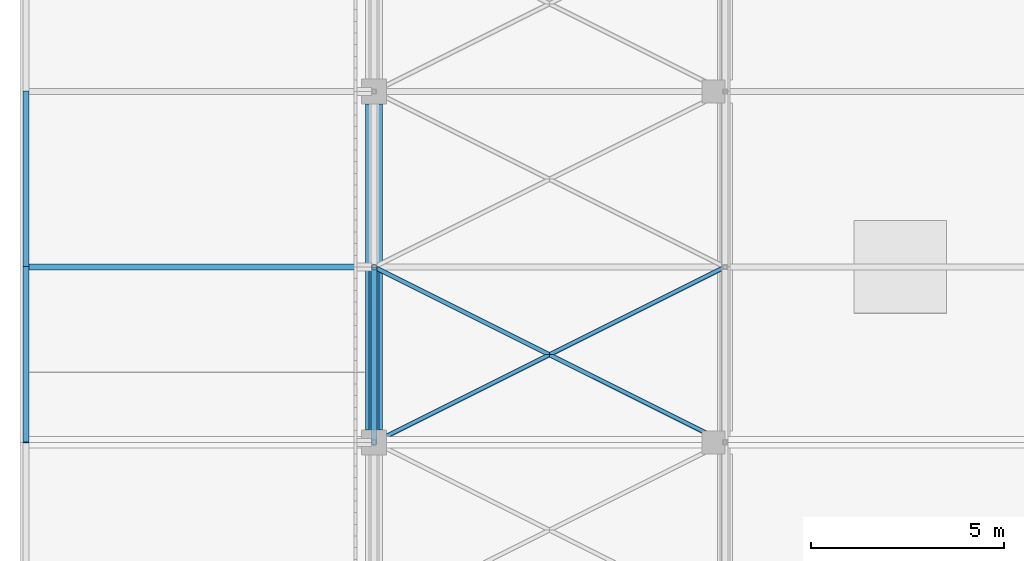
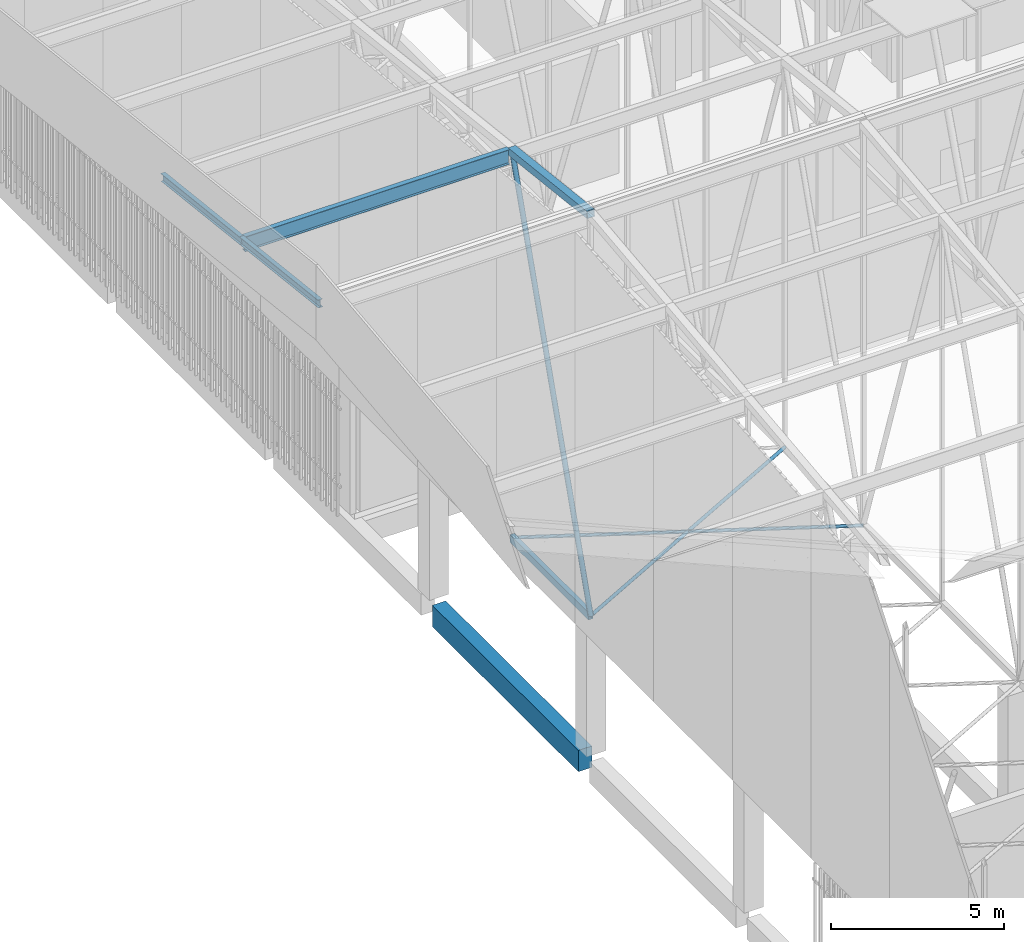
# One storey, part 167 of 500: 8 members, 1 beam.
"""IFC4 building model written with IfcOpenShell, lengths in metres."""

from ifc_helpers import new_model, si_unit, direction, frame, origin, origin_2d, place, context, subcontext, project, spatial, rectangle, hollow_rectangle, hollow_circle, i_section, extrude, material, material_profile, profile_set, type_object, element, save


model = new_model("IFC4")

# Units and contexts
model_context = context("Model", 3, precision=1e-05, world=origin(), true_north=direction((0.0, 1.0)))
body_context = subcontext(model_context, "Body", "Model", "MODEL_VIEW")
ifc_project = project(units=[si_unit("LENGTHUNIT", "METRE"), si_unit("AREAUNIT", "SQUARE_METRE"), si_unit("VOLUMEUNIT", "CUBIC_METRE"), si_unit("PLANEANGLEUNIT", "RADIAN"), si_unit("MASSUNIT", "GRAM", prefix="KILO")], contexts=[model_context])

# Site, building, storey
site_placement = place(None, origin())
site = spatial("IfcSite", under=ifc_project, at=site_placement, CompositionType="ELEMENT")
building_placement = place(site_placement, origin())
building = spatial("IfcBuilding", under=site, at=building_placement, Name="Shirokan Park Arena", CompositionType="ELEMENT")
storey_placement = place(building_placement, frame((0.0, 0.0, 29.1201171875)))
storey = spatial("IfcBuildingStorey", under=building, at=storey_placement, Name="L06", CompositionType="ELEMENT", Elevation=29.1201171875)

# Members
ifc_material_1 = material(Name="Steel ASTM A500 Grade C", Category="steel")
ifc_material_profile_1 = material_profile(ifc_material_1, hollow_rectangle(XDim=0.152099609375, YDim=0.25390625, WallThickness=0.009521484375, at=origin_2d()), Name="HSS254X152.4X9.5")
ifc_profile_set_1 = profile_set([ifc_material_profile_1], Name="Steel ASTM A500 Grade C")
member_type_1 = type_object("IfcMemberType", Name="Bottom chord HSS254X152.4X9.5", PredefinedType="CHORD", material=ifc_profile_set_1)
member_1_placement = place(storey_placement, frame((0.0, 54.60009765625, 4.677001953125), z_axis=(0.0, 1.0, 0.0), x_axis=(-1.0, 0.0, 0.0)))
element("IfcMember", 1, at=member_1_placement, inside=storey, type_object=member_type_1, Name="Truss T01 bottom chord 15", PredefinedType="CHORD", context=body_context, shape_type="SweptSolid", body=[
    extrude(hollow_rectangle(XDim=0.152099609375, YDim=0.25390625, WallThickness=0.009521484375, at=origin_2d()), origin(), (0.0, 0.0, 1.0), 4.5498046875),
])
ifc_material_profile_2 = material_profile(ifc_material_1, hollow_circle(Radius=0.056884765625, WallThickness=0.006103515625, at=origin_2d()), Name="HSS114.3X6")
ifc_profile_set_2 = profile_set([ifc_material_profile_2], Name="Steel ASTM A500 Grade C")
member_type_2 = type_object("IfcMemberType", Name="Plan bracing HSS114.3X6", PredefinedType="BRACE", material=ifc_profile_set_2)
for number, where, z_axis, x_axis, name in (
    (2, (0.0, 54.60009765625, 4.677001953125), (0.8944367893, 0.447194398385, 0.0), (-0.447194398385, 0.8944367893, 0.0), "Plan bracing bay 1 panel 15 A"),
    (3, (9.10009765625, 54.60009765625, 4.677001953125), (-0.8944367893, 0.447194398385, 0.0), (-0.447194398385, -0.8944367893, 0.0), "Plan bracing bay 1 panel 15 B"),
):
    element("IfcMember", number, at=place(storey_placement, frame(where, z_axis=z_axis, x_axis=x_axis)), inside=storey, type_object=member_type_2, Name=name, PredefinedType="BRACE", context=body_context, shape_type="SweptSolid", body=[
        extrude(hollow_circle(Radius=0.056884765625, WallThickness=0.006103515625, at=origin_2d()), origin(), (0.0, 0.0, 1.0), 10.174072265625),
    ])
ifc_material_2 = material(Name="Steel ASTM A992", Category="steel")
ifc_material_profile_3 = material_profile(ifc_material_2, i_section(OverallWidth=0.166015625, OverallDepth=0.528076171875, WebThickness=0.009765625, FlangeThickness=0.013671875, at=origin_2d()), Name="W530X74")
ifc_profile_set_3 = profile_set([ifc_material_profile_3], Name="Steel ASTM A992")
member_type_3 = type_object("IfcMemberType", Name="Purlin W530X74", PredefinedType="PURLIN", material=ifc_profile_set_3)
member_2_placement = place(storey_placement, frame((-8.951904296875, 59.14990234375, 18.205810546875), z_axis=(1.0, 0.0, 0.0), x_axis=(0.0, 1.0, 0.0)))
element("IfcMember", 4, at=member_2_placement, inside=storey, type_object=member_type_3, Name="Eave purlin west 16", PredefinedType="PURLIN", context=body_context, shape_type="SweptSolid", body=[
    extrude(i_section(OverallWidth=0.166015625, OverallDepth=0.528076171875, WebThickness=0.009765625, FlangeThickness=0.013671875, at=origin_2d()), origin(), (0.0, 0.0, 1.0), 8.824951171875),
])

# Beam
ifc_material_3 = material(Name="Concrete C35", Category="concrete")
ifc_material_profile_4 = material_profile(ifc_material_3, rectangle(XDim=0.449951171875, YDim=0.75, at=origin_2d()), Name="450x750")
ifc_profile_set_4 = profile_set([ifc_material_profile_4], Name="Concrete C35")
beam_type = type_object("IfcBeamType", Name="RC girder 450x750", PredefinedType="BEAM", material=ifc_profile_set_4)
beam_placement = place(storey_placement, frame((0.0, 54.925048828125, -0.5751953125), z_axis=(0.0, 1.0, 0.0), x_axis=(-1.0, 0.0, 0.0)))
element("IfcBeam", 5, at=beam_placement, inside=storey, type_object=beam_type, Name="Girder 1G-1H L06", PredefinedType="BEAM", context=body_context, shape_type="SweptSolid", body=[
    extrude(rectangle(XDim=0.449951171875, YDim=0.75, at=origin_2d()), origin(), (0.0, 0.0, 1.0), 8.449951171875),
])

# Members
ifc_material_profile_5 = material_profile(ifc_material_2, i_section(OverallWidth=0.14794921875, OverallDepth=0.26708984375, WebThickness=0.007568359375, FlangeThickness=0.012939453125, at=origin_2d()), Name="W250X44.8")
ifc_profile_set_5 = profile_set([ifc_material_profile_5], Name="Steel ASTM A992")
member_type_4 = type_object("IfcMemberType", Name="Roof edge beam W250X44.8", PredefinedType="USERDEFINED", material=ifc_profile_set_5)
member_3_placement = place(storey_placement, frame((-9.02587890625, 54.60009765625, 18.8564453125), z_axis=(0.0, 0.993531641592, -0.11355561261), x_axis=(-1.0, 0.0, 0.0)))
element("IfcMember", 6, at=member_3_placement, inside=storey, type_object=member_type_4, Name="Roof edge beam W 15", ObjectType="ROOF EDGE BEAM", PredefinedType="USERDEFINED", context=body_context, shape_type="SweptSolid", body=[
    extrude(i_section(OverallWidth=0.14794921875, OverallDepth=0.26708984375, WebThickness=0.007568359375, FlangeThickness=0.012939453125, at=origin_2d()), origin(), (0.0, 0.0, 1.0), 4.579345703125),
])
member_4_placement = place(storey_placement, frame((-9.02587890625, 59.14990234375, 18.33642578125), z_axis=(0.0, 0.993532328996, -0.113549598152), x_axis=(-1.0, 0.0, 0.0)))
element("IfcMember", 7, at=member_4_placement, inside=storey, type_object=member_type_4, Name="Roof edge beam W 16", ObjectType="ROOF EDGE BEAM", PredefinedType="USERDEFINED", context=body_context, shape_type="SweptSolid", body=[
    extrude(i_section(OverallWidth=0.14794921875, OverallDepth=0.26708984375, WebThickness=0.007568359375, FlangeThickness=0.012939453125, at=origin_2d()), origin(), (0.0, 0.0, 1.0), 4.57958984375),
])
ifc_material_profile_6 = material_profile(ifc_material_1, hollow_rectangle(XDim=0.25390625, YDim=0.25390625, WallThickness=0.009521484375, at=origin_2d()), Name="HSS254X254X9.5")
ifc_profile_set_6 = profile_set([ifc_material_profile_6], Name="Steel ASTM A500 Grade C")
member_type_5 = type_object("IfcMemberType", Name="Top chord HSS254X254X9.5", PredefinedType="CHORD", material=ifc_profile_set_6)
member_5_placement = place(storey_placement, frame((0.0, 54.60009765625, 18.86279296875), z_axis=(0.0, 0.993531641592, -0.11355561261), x_axis=(-1.0, 0.0, 0.0)))
element("IfcMember", 8, at=member_5_placement, inside=storey, type_object=member_type_5, Name="Truss T01 top chord 15", PredefinedType="CHORD", context=body_context, shape_type="SweptSolid", body=[
    extrude(hollow_rectangle(XDim=0.25390625, YDim=0.25390625, WallThickness=0.009521484375, at=origin_2d()), origin(), (0.0, 0.0, 1.0), 4.579345703125),
])
ifc_material_profile_7 = material_profile(ifc_material_1, hollow_circle(Radius=0.083984375, WallThickness=0.009521484375, at=origin_2d()), Name="HSS168.3X9.5")
ifc_profile_set_7 = profile_set([ifc_material_profile_7], Name="Steel ASTM A500 Grade C")
member_type_6 = type_object("IfcMemberType", Name="Truss diagonal HSS168.3X9.5", PredefinedType="BRACE", material=ifc_profile_set_7)
member_6_placement = place(storey_placement, frame((0.0, 54.60009765625, 4.677001953125), z_axis=(0.0, 0.315887043243, 0.948796804332), x_axis=(-1.0, 0.0, 0.0)))
element("IfcMember", 9, at=member_6_placement, inside=storey, type_object=member_type_6, Name="Truss T01 diagonal 15", PredefinedType="BRACE", context=body_context, shape_type="SweptSolid", body=[
    extrude(hollow_circle(Radius=0.083984375, WallThickness=0.009521484375, at=origin_2d()), origin(), (0.0, 0.0, 1.0), 14.4033203125),
])

save(model, "model.ifc")
